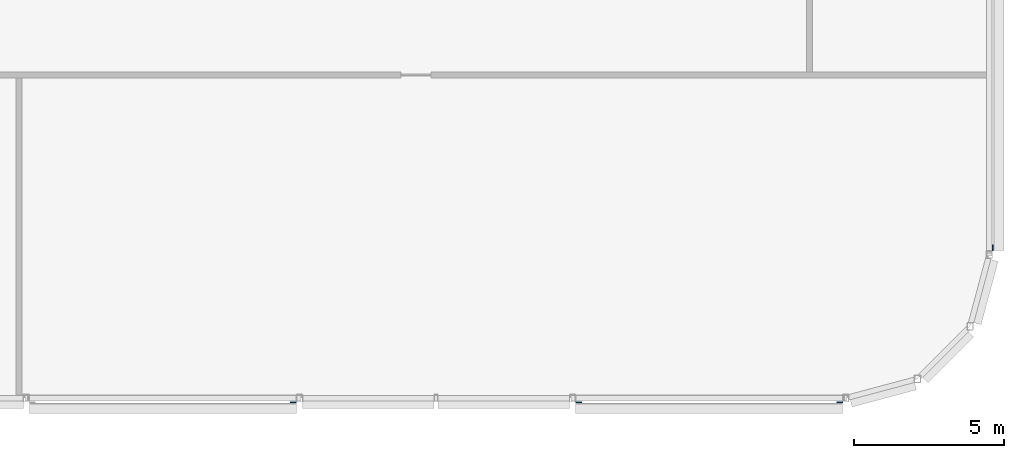
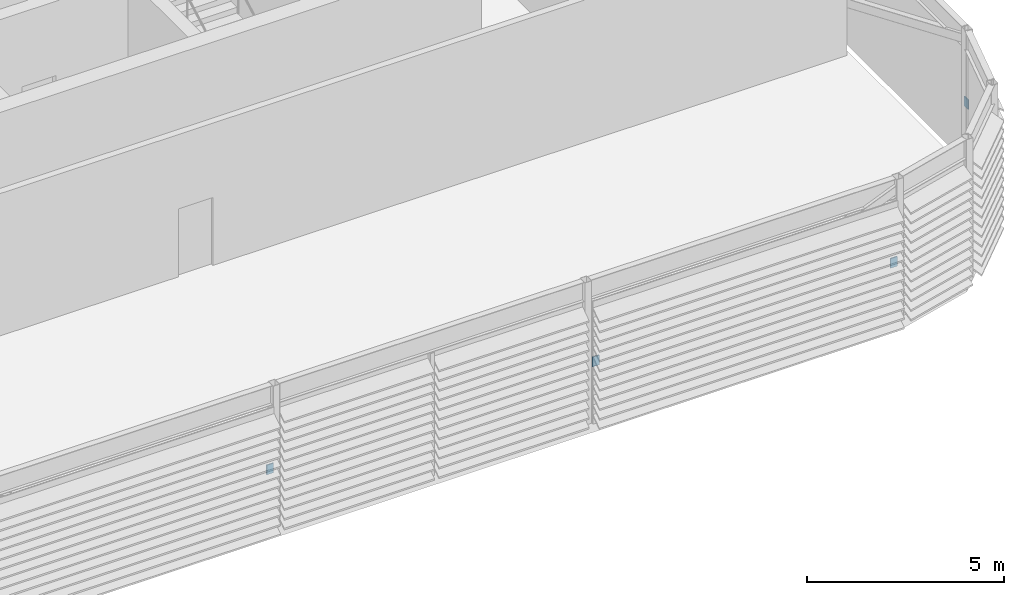
# One storey, part 20 of 27: 4 discrete accessories.
"""IFC4 building model written with IfcOpenShell, lengths in metres."""

from ifc_helpers import new_model, si_unit, direction, frame, origin, origin_2d, place, context, subcontext, project, spatial, rectangle, extrude, material, type_object, element, save


model = new_model("IFC4")

# Units and contexts
model_context = context("Model", 3, precision=1e-05, world=origin(), true_north=direction((0.0, 1.0)))
body_context = subcontext(model_context, "Body", "Model", "MODEL_VIEW")
ifc_project = project(units=[si_unit("LENGTHUNIT", "METRE"), si_unit("AREAUNIT", "SQUARE_METRE"), si_unit("VOLUMEUNIT", "CUBIC_METRE"), si_unit("PLANEANGLEUNIT", "RADIAN"), si_unit("MASSUNIT", "GRAM", prefix="KILO")], contexts=[model_context])

# Site, building, storey
site_placement = place(None, origin())
site = spatial("IfcSite", under=ifc_project, at=site_placement, CompositionType="ELEMENT")
building_placement = place(site_placement, origin())
building = spatial("IfcBuilding", under=site, at=building_placement, Name="Madar Terraces", CompositionType="ELEMENT")
storey_placement = place(building_placement, frame((0.0, 0.0, 301.10009765625)))
storey = spatial("IfcBuildingStorey", under=building, at=storey_placement, Name="L78", CompositionType="ELEMENT", Elevation=301.10009765625)

# Discrete accessories
ifc_material = material(Name="Steel, galvanised", Category="steel")
discrete_accessory_type = type_object("IfcDiscreteAccessoryType", Name="Louvre bank bracket", PredefinedType="BRACKET", material=ifc_material)
for number, where, z_axis, x_axis, name in (
    (1, (33.158447265625, 1.05810546875, 1.7490234375), (0.0, 0.0, 1.0), (1.0, 0.0, 0.0), "Louvre bank bracket"),
    (2, (42.681640625, 1.05810546875, 1.7490234375), (0.0, 0.0, 1.0), (1.0, 0.0, 0.0), "Louvre bank bracket"),
    (3, (51.3984375, 1.05810546875, 1.7490234375), (0.0, 0.0, 1.0), (1.0, 0.0, 0.0), "Louvre bank bracket"),
    (4, (56.5166015625, 6.22705078125, 1.7490234375), (0.0, 0.0, 1.0), (0.0, 1.0, 0.0), "Louvre bank bracket"),
):
    element("IfcDiscreteAccessory", number, at=place(storey_placement, frame(where, z_axis=z_axis, x_axis=x_axis)), inside=storey, type_object=discrete_accessory_type, Name=name, PredefinedType="BRACKET", context=body_context, shape_type="SweptSolid", body=[
        extrude(rectangle(XDim=0.199951171875, YDim=0.030029296875, at=origin_2d()), origin(), (0.0, 0.0, 1.0), 0.300048828125),
    ])

save(model, "model.ifc")
